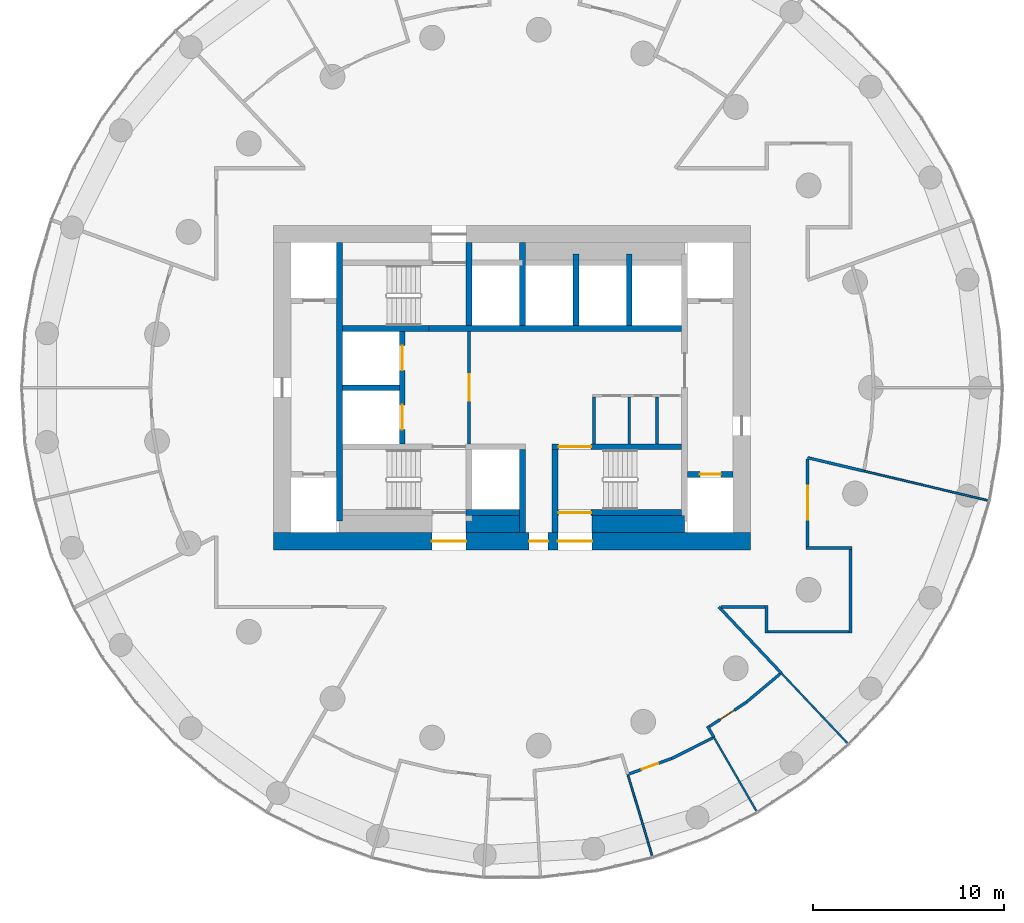
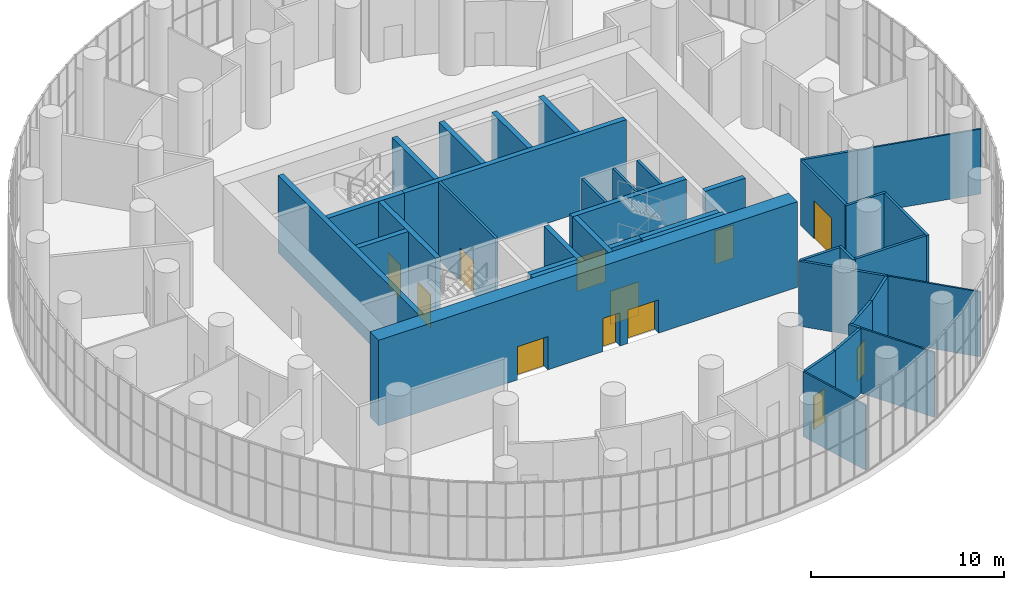
# One storey, part 17 of 21: 40 walls, 12 doors, 12 openings.
"""IFC4 building model written with IfcOpenShell, lengths in metres."""

from ifc_helpers import new_model, si_unit, direction, frame, frame_2d, origin, place, context, subcontext, project, spatial, rectangle, extrude, material, layer, layer_set, type_object, element, fill, save


model = new_model("IFC4")

# Units and contexts
model_context = context("Model", 3, precision=1e-05, world=origin(), true_north=direction((0.0, 1.0)))
body_context = subcontext(model_context, "Body", "Model", "MODEL_VIEW")
ifc_project = project(units=[si_unit("LENGTHUNIT", "METRE"), si_unit("AREAUNIT", "SQUARE_METRE"), si_unit("VOLUMEUNIT", "CUBIC_METRE"), si_unit("PLANEANGLEUNIT", "RADIAN"), si_unit("MASSUNIT", "GRAM", prefix="KILO")], contexts=[model_context])

# Site, building, storey
site_placement = place(None, origin())
site = spatial("IfcSite", under=ifc_project, at=site_placement, CompositionType="ELEMENT")
building_placement = place(site_placement, origin())
building = spatial("IfcBuilding", under=site, at=building_placement, Name="Tracery Tower", CompositionType="ELEMENT")
storey_placement = place(building_placement, frame((0.0, 0.0, 219.60009765625)))
storey = spatial("IfcBuildingStorey", under=building, at=storey_placement, Name="L57", CompositionType="ELEMENT", Elevation=219.60009765625)

# Wall, opening, door
ifc_material_1 = material(Name="Plasterboard on steel studs", Category="steel")
ifc_layer_1 = layer(ifc_material_1, 0.14990234375)
ifc_layer_set_1 = layer_set([ifc_layer_1], Name="Core lobby partition 150")
wall_type_1 = type_object("IfcWallType", Name="Core lobby partition 150", PredefinedType="SOLIDWALL", material=ifc_layer_set_1)
wall_1_placement = place(storey_placement, frame((-2.25, -2.949951171875, 0.0), z_axis=(0.0, 0.0, 1.0), x_axis=(0.0, 1.0, 0.0)))
wall_1 = element("IfcWall", 1, at=wall_1_placement, inside=storey, type_object=wall_type_1, Name="L57 FF lobby E", PredefinedType="SOLIDWALL", context=body_context, shape_type="SweptSolid", body=[
    extrude(rectangle(XDim=5.89990234375, YDim=0.14990234375, at=frame_2d((2.949951171875, 0.0))), origin(), (0.0, 0.0, 1.0), 4.89990234375),
])
opening_1_placement = place(wall_1_placement, frame((2.25, 0.0, 0.0)))
opening_1 = element("IfcOpeningElement", 2, at=opening_1_placement, cuts=wall_1, Name="Opening KD8", PredefinedType="OPENING", context=body_context, shape_type="SweptSolid", body=[
    extrude(rectangle(XDim=1.39990234375, YDim=2.10009765625, at=frame_2d((0.699951171875, 1.050048828125))), frame((0.0, 0.074951171875, 0.0), z_axis=(0.0, -1.0, 0.0), x_axis=(1.0, 0.0, 0.0)), (0.0, 0.0, 1.0), 0.14990234375),
])
ifc_material_2 = material(Name="Steel fire door", Category="steel")
door_type_1 = type_object("IfcDoorType", Name="Core lobby door 1400 double", OperationType="NOTDEFINED", PredefinedType="DOOR", material=ifc_material_2)
door_1_placement = place(opening_1_placement, origin())
door_1 = element("IfcDoor", 3, at=door_1_placement, inside=storey, type_object=door_type_1, Name="Fire-fighting lobby door", OperationType="DOUBLE_DOOR_SINGLE_SWING", OverallHeight=2.10009765625, OverallWidth=1.39990234375, PredefinedType="DOOR", context=body_context, shape_type="SweptSolid", body=[
    extrude(rectangle(XDim=1.39990234375, YDim=2.10009765625, at=frame_2d((0.699951171875, 1.050048828125))), frame((0.0, 0.02490234375, 0.0), z_axis=(0.0, -1.0, 0.0), x_axis=(1.0, 0.0, 0.0)), (0.0, 0.0, 1.0), 0.050048828125),
])
fill(opening_1, door_1)

# Walls
ifc_material_3 = material(Name="Plasterboard on steel studs", Category="steel")
ifc_layer_2 = layer(ifc_material_3, 0.14990234375)
ifc_layer_set_2 = layer_set([ifc_layer_2], Name="Core room partition 150")
wall_type_2 = type_object("IfcWallType", Name="Core room partition 150", PredefinedType="SOLIDWALL", material=ifc_layer_set_2)
for number, where, z_axis, x_axis, name in (
    (4, (4.300048828125, -2.949951171875, 0.0), (0.0, 0.0, 1.0), (0.0, 1.0, 0.0), "L57 slot W"),
    (5, (6.14990234375, -2.949951171875, 0.0), (0.0, 0.0, 1.0), (0.0, 1.0, 0.0), "L57 slot sep 1"),
    (6, (7.60009765625, -2.949951171875, 0.0), (0.0, 0.0, 1.0), (0.0, 1.0, 0.0), "L57 slot sep 2"),
):
    element("IfcWall", number, at=place(storey_placement, frame(where, z_axis=z_axis, x_axis=x_axis)), inside=storey, type_object=wall_type_2, Name=name, PredefinedType="SOLIDWALL", context=body_context, shape_type="SweptSolid", body=[
        extrude(rectangle(XDim=2.449951171875, YDim=0.14990234375, at=frame_2d((1.22509765625, 0.0))), origin(), (0.0, 0.0, 1.0), 4.89990234375),
    ])
ifc_material_4 = material(Name="Concrete C50/60", Category="concrete")
ifc_layer_3 = layer(ifc_material_4, 0.89990234375)
ifc_layer_set_3 = layer_set([ifc_layer_3], Name="Core strip wall 900 C50")
wall_type_3 = type_object("IfcWallType", Name="Core strip wall 900 C50", PredefinedType="SOLIDWALL", material=ifc_layer_set_3)
wall_2_placement = place(storey_placement, frame((-2.39990234375, -7.14990234375, 0.0), z_axis=(0.0, 0.0, 1.0), x_axis=(1.0, 0.0, 0.0)))
element("IfcWall", 7, at=wall_2_placement, inside=storey, type_object=wall_type_3, Name="L57 F thick S mid", PredefinedType="SOLIDWALL", context=body_context, shape_type="SweptSolid", body=[
    extrude(rectangle(XDim=2.7998046875, YDim=0.89990234375, at=frame_2d((1.39990234375, 0.0))), origin(), (0.0, 0.0, 1.0), 4.89990234375),
])
wall_3_placement = place(storey_placement, frame((4.199951171875, -7.14990234375, 0.0), z_axis=(0.0, 0.0, 1.0), x_axis=(1.0, 0.0, 0.0)))
element("IfcWall", 8, at=wall_3_placement, inside=storey, type_object=wall_type_3, Name="L57 F thick S E", PredefinedType="SOLIDWALL", context=body_context, shape_type="SweptSolid", body=[
    extrude(rectangle(XDim=4.85009765625, YDim=0.89990234375, at=frame_2d((2.425048828125, 0.0))), origin(), (0.0, 0.0, 1.0), 4.89990234375),
])

# Wall, openings, doors
ifc_material_5 = material(Name="Concrete C50/60", Category="concrete")
ifc_layer_4 = layer(ifc_material_5, 0.89990234375)
ifc_layer_set_4 = layer_set([ifc_layer_4], Name="Core wall 900 C50")
wall_type_4 = type_object("IfcWallType", Name="Core wall 900 C50", PredefinedType="SOLIDWALL", material=ifc_layer_set_4)
wall_4_placement = place(storey_placement, frame((-12.5, -8.050048828125, 0.0), z_axis=(0.0, 0.0, 1.0), x_axis=(1.0, 0.0, 0.0)))
wall_4 = element("IfcWall", 9, at=wall_4_placement, inside=storey, type_object=wall_type_4, Name="L57 outer S", PredefinedType="SOLIDWALL", context=body_context, shape_type="SweptSolid", body=[
    extrude(rectangle(XDim=25.0, YDim=0.89990234375, at=frame_2d((12.5, 0.0))), origin(), (0.0, 0.0, 1.0), 5.39990234375),
])
opening_2_placement = place(wall_4_placement, frame((13.39990234375, 0.0, 0.0)))
opening_2 = element("IfcOpeningElement", 10, at=opening_2_placement, cuts=wall_4, Name="Opening KD16", PredefinedType="OPENING", context=body_context, shape_type="SweptSolid", body=[
    extrude(rectangle(XDim=1.0, YDim=2.10009765625, at=frame_2d((0.5, 1.050048828125))), frame((0.0, 0.449951171875, 0.0), z_axis=(0.0, -1.0, 0.0), x_axis=(1.0, 0.0, 0.0)), (0.0, 0.0, 1.0), 0.89990234375),
])
opening_3_placement = place(wall_4_placement, frame((8.300048828125, 0.0, 0.0)))
opening_3 = element("IfcOpeningElement", 11, at=opening_3_placement, cuts=wall_4, Name="Opening KD13", PredefinedType="OPENING", context=body_context, shape_type="SweptSolid", body=[
    extrude(rectangle(XDim=1.800048828125, YDim=2.10009765625, at=frame_2d((0.89990234375, 1.050048828125))), frame((0.0, 0.449951171875, 0.0), z_axis=(0.0, -1.0, 0.0), x_axis=(1.0, 0.0, 0.0)), (0.0, 0.0, 1.0), 0.89990234375),
])
opening_4_placement = place(wall_4_placement, frame((14.89990234375, 0.0, 0.0)))
opening_4 = element("IfcOpeningElement", 12, at=opening_4_placement, cuts=wall_4, Name="Opening KD13", PredefinedType="OPENING", context=body_context, shape_type="SweptSolid", body=[
    extrude(rectangle(XDim=1.800048828125, YDim=2.10009765625, at=frame_2d((0.89990234375, 1.050048828125))), frame((0.0, 0.449951171875, 0.0), z_axis=(0.0, -1.0, 0.0), x_axis=(1.0, 0.0, 0.0)), (0.0, 0.0, 1.0), 0.89990234375),
])
ifc_material_6 = material(Name="Steel fire door", Category="steel")
door_type_2 = type_object("IfcDoorType", Name="Core exit door 1000", OperationType="NOTDEFINED", PredefinedType="DOOR", material=ifc_material_6)
door_2_placement = place(opening_2_placement, origin())
door_2 = element("IfcDoor", 13, at=door_2_placement, inside=storey, type_object=door_type_2, Name="Core exit door", OperationType="SINGLE_SWING_LEFT", OverallHeight=2.10009765625, OverallWidth=1.0, PredefinedType="DOOR", context=body_context, shape_type="SweptSolid", body=[
    extrude(rectangle(XDim=1.0, YDim=2.10009765625, at=frame_2d((0.5, 1.050048828125))), frame((0.0, 0.02490234375, 0.0), z_axis=(0.0, -1.0, 0.0), x_axis=(1.0, 0.0, 0.0)), (0.0, 0.0, 1.0), 0.050048828125),
])
fill(opening_2, door_2)
ifc_material_7 = material(Name="Steel fire door", Category="steel")
door_type_3 = type_object("IfcDoorType", Name="Core exit door 1800 double", OperationType="NOTDEFINED", PredefinedType="DOOR", material=ifc_material_7)
door_3_placement = place(opening_3_placement, origin())
door_3 = element("IfcDoor", 14, at=door_3_placement, inside=storey, type_object=door_type_3, Name="Core exit door", OperationType="DOUBLE_DOOR_SINGLE_SWING", OverallHeight=2.10009765625, OverallWidth=1.800048828125, PredefinedType="DOOR", context=body_context, shape_type="SweptSolid", body=[
    extrude(rectangle(XDim=1.800048828125, YDim=2.10009765625, at=frame_2d((0.89990234375, 1.050048828125))), frame((0.0, 0.02490234375, 0.0), z_axis=(0.0, -1.0, 0.0), x_axis=(1.0, 0.0, 0.0)), (0.0, 0.0, 1.0), 0.050048828125),
])
fill(opening_3, door_3)
door_4_placement = place(opening_4_placement, origin())
door_4 = element("IfcDoor", 15, at=door_4_placement, inside=storey, type_object=door_type_3, Name="Core exit door", OperationType="DOUBLE_DOOR_SINGLE_SWING", OverallHeight=2.10009765625, OverallWidth=1.800048828125, PredefinedType="DOOR", context=body_context, shape_type="SweptSolid", body=[
    extrude(rectangle(XDim=1.800048828125, YDim=2.10009765625, at=frame_2d((0.89990234375, 1.050048828125))), frame((0.0, 0.02490234375, 0.0), z_axis=(0.0, -1.0, 0.0), x_axis=(1.0, 0.0, 0.0)), (0.0, 0.0, 1.0), 0.050048828125),
])
fill(opening_4, door_4)

# Wall, opening, door
ifc_material_8 = material(Name="Plasterboard on steel studs", Category="steel")
ifc_layer_5 = layer(ifc_material_8, 0.14990234375)
ifc_layer_set_5 = layer_set([ifc_layer_5], Name="Corridor partition 150")
wall_type_5 = type_object("IfcWallType", Name="Corridor partition 150", PredefinedType="PARTITIONING", material=ifc_layer_set_5)
wall_5_placement = place(storey_placement, frame((8.385009765625, -19.4384765625, 0.0), z_axis=(0.0, 0.0, 1.0), x_axis=(-0.939685866478, -0.342038700065, 0.0)))
wall_5 = element("IfcWall", 16, at=wall_5_placement, inside=storey, type_object=wall_type_5, Name="Corridor partition 150", PredefinedType="PARTITIONING", context=body_context, shape_type="SweptSolid", body=[
    extrude(rectangle(XDim=2.386962890625, YDim=0.14990234375, at=frame_2d((1.193359375, 0.0))), origin(), (0.0, 0.0, 1.0), 4.099853515625),
])
opening_5_placement = place(wall_5_placement, frame((0.781005859375, 0.0, 0.0)))
opening_5 = element("IfcOpeningElement", 17, at=opening_5_placement, cuts=wall_5, Name="Opening SB-L57-19", PredefinedType="OPENING", context=body_context, shape_type="SweptSolid", body=[
    extrude(rectangle(XDim=0.89990234375, YDim=2.10009765625, at=frame_2d((0.449951171875, 1.050048828125))), frame((0.0, 0.074951171875, 0.0), z_axis=(0.0, -1.0, 0.0), x_axis=(1.0, 0.0, 0.0)), (0.0, 0.0, 1.0), 0.14990234375),
])
ifc_material_9 = material(Name="Steel fire door", Category="steel")
door_type_4 = type_object("IfcDoorType", Name="Store door 900", OperationType="NOTDEFINED", PredefinedType="DOOR", material=ifc_material_9)
door_5_placement = place(opening_5_placement, origin())
door_5 = element("IfcDoor", 18, at=door_5_placement, inside=storey, type_object=door_type_4, Name="Store door 900", OperationType="SINGLE_SWING_RIGHT", OverallHeight=2.10009765625, OverallWidth=0.89990234375, PredefinedType="DOOR", context=body_context, shape_type="SweptSolid", body=[
    extrude(rectangle(XDim=0.89990234375, YDim=2.10009765625, at=frame_2d((0.449951171875, 1.050048828125))), frame((0.0, 0.02490234375, 0.0), z_axis=(0.0, -1.0, 0.0), x_axis=(1.0, 0.0, 0.0)), (0.0, 0.0, 1.0), 0.050048828125),
])
fill(opening_5, door_5)

# Wall
wall_6_placement = place(storey_placement, frame((8.385009765625, -19.4384765625, 0.0), z_axis=(0.0, 0.0, 1.0), x_axis=(0.893607371845, 0.448849490345, 0.0)))
element("IfcWall", 19, at=wall_6_placement, inside=storey, type_object=wall_type_5, Name="Corridor partition 150", PredefinedType="PARTITIONING", context=body_context, shape_type="SweptSolid", body=[
    extrude(rectangle(XDim=2.38671875, YDim=0.14990234375, at=frame_2d((1.193359375, 0.0))), origin(), (0.0, 0.0, 1.0), 4.099853515625),
])

# Wall, opening, door
wall_7_placement = place(storey_placement, frame((12.282958984375, -16.498779296875, 0.0), z_axis=(0.0, 0.0, 1.0), x_axis=(-0.835487102144, -0.549510056461, 0.0)))
wall_7 = element("IfcWall", 20, at=wall_7_placement, inside=storey, type_object=wall_type_5, Name="Corridor partition 150", PredefinedType="PARTITIONING", context=body_context, shape_type="SweptSolid", body=[
    extrude(rectangle(XDim=2.31689453125, YDim=0.14990234375, at=frame_2d((1.158447265625, 0.0))), origin(), (0.0, 0.0, 1.0), 4.099853515625),
])
opening_6_placement = place(wall_7_placement, frame((0.74609375, 0.0, 0.0)))
opening_6 = element("IfcOpeningElement", 21, at=opening_6_placement, cuts=wall_7, Name="Opening SB-L57-20", PredefinedType="OPENING", context=body_context, shape_type="SweptSolid", body=[
    extrude(rectangle(XDim=0.89990234375, YDim=2.10009765625, at=frame_2d((0.449951171875, 1.050048828125))), frame((0.0, 0.074951171875, 0.0), z_axis=(0.0, -1.0, 0.0), x_axis=(1.0, 0.0, 0.0)), (0.0, 0.0, 1.0), 0.14990234375),
])
door_6_placement = place(opening_6_placement, origin())
door_6 = element("IfcDoor", 22, at=door_6_placement, inside=storey, type_object=door_type_4, Name="Store door 900", OperationType="SINGLE_SWING_RIGHT", OverallHeight=2.10009765625, OverallWidth=0.89990234375, PredefinedType="DOOR", context=body_context, shape_type="SweptSolid", body=[
    extrude(rectangle(XDim=0.89990234375, YDim=2.10009765625, at=frame_2d((0.449951171875, 1.050048828125))), frame((0.0, 0.02490234375, 0.0), z_axis=(0.0, -1.0, 0.0), x_axis=(1.0, 0.0, 0.0)), (0.0, 0.0, 1.0), 0.050048828125),
])
fill(opening_6, door_6)

# Walls
wall_8_placement = place(storey_placement, frame((10.5849609375, -18.33349609375, 0.0), z_axis=(0.0, 0.0, 1.0), x_axis=(-0.500139216719, 0.865945012053, 0.0)))
element("IfcWall", 23, at=wall_8_placement, inside=storey, type_object=wall_type_5, Name="Corridor partition 150", PredefinedType="PARTITIONING", context=body_context, shape_type="SweptSolid", body=[
    extrude(rectangle(XDim=0.676025390625, YDim=0.14990234375, at=frame_2d((0.337890625, 0.0))), origin(), (0.0, 0.0, 1.0), 4.099853515625),
])
wall_9_placement = place(storey_placement, frame((10.952880859375, -11.5, 0.0), z_axis=(0.0, 0.0, 1.0), x_axis=(1.0, 0.0, 0.0)))
element("IfcWall", 24, at=wall_9_placement, inside=storey, type_object=wall_type_5, Name="Corridor partition 150", PredefinedType="PARTITIONING", context=body_context, shape_type="SweptSolid", body=[
    extrude(rectangle(XDim=2.32373046875, YDim=0.14990234375, at=frame_2d((1.161865234375, 0.0))), origin(), (0.0, 0.0, 1.0), 4.099853515625),
])
wall_10_placement = place(storey_placement, frame((12.282958984375, -16.498779296875, 0.0), z_axis=(0.0, 0.0, 1.0), x_axis=(0.766014097989, 0.642823771871, 0.0)))
element("IfcWall", 25, at=wall_10_placement, inside=storey, type_object=wall_type_5, Name="Corridor partition 150", PredefinedType="PARTITIONING", context=body_context, shape_type="SweptSolid", body=[
    extrude(rectangle(XDim=2.316650390625, YDim=0.14990234375, at=frame_2d((1.158203125, 0.0))), origin(), (0.0, 0.0, 1.0), 4.099853515625),
])
wall_11_placement = place(storey_placement, frame((13.426513671875, -12.802978515625, 0.0), z_axis=(0.0, 0.0, 1.0), x_axis=(1.0, 0.0, 0.0)))
element("IfcWall", 26, at=wall_11_placement, inside=storey, type_object=wall_type_5, Name="Corridor partition 150", PredefinedType="PARTITIONING", context=body_context, shape_type="SweptSolid", body=[
    extrude(rectangle(XDim=4.25, YDim=0.14990234375, at=frame_2d((2.125, 0.0))), origin(), (0.0, 0.0, 1.0), 4.099853515625),
])
wall_12_placement = place(storey_placement, frame((13.3515625, -11.425048828125, 0.0), z_axis=(0.0, 0.0, 1.0), x_axis=(0.0, -1.0, 0.0)))
element("IfcWall", 27, at=wall_12_placement, inside=storey, type_object=wall_type_5, Name="Corridor partition 150", PredefinedType="PARTITIONING", context=body_context, shape_type="SweptSolid", body=[
    extrude(rectangle(XDim=1.452880859375, YDim=0.14990234375, at=frame_2d((0.7265625, 0.0))), origin(), (0.0, 0.0, 1.0), 4.099853515625),
])
wall_13_placement = place(storey_placement, frame((14.115234375, -14.961181640625, 0.0), z_axis=(0.0, 0.0, 1.0), x_axis=(-0.686260376194, 0.727355962418, 0.0)))
element("IfcWall", 28, at=wall_13_placement, inside=storey, type_object=wall_type_5, Name="Corridor partition 150", PredefinedType="PARTITIONING", context=body_context, shape_type="SweptSolid", body=[
    extrude(rectangle(XDim=4.758544921875, YDim=0.14990234375, at=frame_2d((2.37939453125, 0.0))), origin(), (0.0, 0.0, 1.0), 4.099853515625),
])

# Wall, opening, door
wall_14_placement = place(storey_placement, frame((15.5, -3.750732421875, 0.0), z_axis=(0.0, 0.0, 1.0), x_axis=(0.0, -1.0, 0.0)))
wall_14 = element("IfcWall", 29, at=wall_14_placement, inside=storey, type_object=wall_type_5, Name="Corridor partition 150", PredefinedType="PARTITIONING", context=body_context, shape_type="SweptSolid", body=[
    extrude(rectangle(XDim=4.5771484375, YDim=0.14990234375, at=frame_2d((2.28857421875, 0.0))), origin(), (0.0, 0.0, 1.0), 4.099853515625),
])
opening_7_placement = place(wall_14_placement, frame((1.3876953125, 0.0, 0.0)))
opening_7 = element("IfcOpeningElement", 30, at=opening_7_placement, cuts=wall_14, Name="Opening SB-L57-21", PredefinedType="OPENING", context=body_context, shape_type="SweptSolid", body=[
    extrude(rectangle(XDim=1.800048828125, YDim=2.39990234375, at=frame_2d((0.89990234375, 1.199951171875))), frame((0.0, 0.074951171875, 0.0), z_axis=(0.0, -1.0, 0.0), x_axis=(1.0, 0.0, 0.0)), (0.0, 0.0, 1.0), 0.14990234375),
])
ifc_material_10 = material(Name="Glazed aluminium door", Category="aluminium")
door_type_5 = type_object("IfcDoorType", Name="Hall double door 1800", OperationType="DOUBLE_DOOR_SINGLE_SWING", PredefinedType="DOOR", material=ifc_material_10)
door_7_placement = place(opening_7_placement, origin())
door_7 = element("IfcDoor", 31, at=door_7_placement, inside=storey, type_object=door_type_5, Name="Hall double door 1800", OperationType="DOUBLE_DOOR_SINGLE_SWING", OverallHeight=2.39990234375, OverallWidth=1.800048828125, PredefinedType="DOOR", context=body_context, shape_type="SweptSolid", body=[
    extrude(rectangle(XDim=1.800048828125, YDim=2.39990234375, at=frame_2d((0.89990234375, 1.199951171875))), frame((0.0, 0.02490234375, 0.0), z_axis=(0.0, -1.0, 0.0), x_axis=(1.0, 0.0, 0.0)), (0.0, 0.0, 1.0), 0.050048828125),
])
fill(opening_7, door_7)

# Walls
wall_15_placement = place(storey_placement, frame((17.751708984375, -12.8779296875, 0.0), z_axis=(0.0, 0.0, 1.0), x_axis=(0.0, 1.0, 0.0)))
element("IfcWall", 32, at=wall_15_placement, inside=storey, type_object=wall_type_5, Name="Corridor partition 150", PredefinedType="PARTITIONING", context=body_context, shape_type="SweptSolid", body=[
    extrude(rectangle(XDim=4.400146484375, YDim=0.14990234375, at=frame_2d((2.2001953125, 0.0))), origin(), (0.0, 0.0, 1.0), 4.099853515625),
])
wall_16_placement = place(storey_placement, frame((17.82666015625, -8.40283203125, 0.0), z_axis=(0.0, 0.0, 1.0), x_axis=(-1.0, 0.0, 0.0)))
element("IfcWall", 33, at=wall_16_placement, inside=storey, type_object=wall_type_5, Name="Corridor partition 150", PredefinedType="PARTITIONING", context=body_context, shape_type="SweptSolid", body=[
    extrude(rectangle(XDim=2.401611328125, YDim=0.14990234375, at=frame_2d((1.20068359375, 0.0))), origin(), (0.0, 0.0, 1.0), 4.099853515625),
])
wall_17_placement = place(storey_placement, frame((18.454833984375, -4.373779296875, 0.0), z_axis=(0.0, 0.0, 1.0), x_axis=(-0.973053235534, 0.230580573371, 0.0)))
element("IfcWall", 34, at=wall_17_placement, inside=storey, type_object=wall_type_5, Name="Corridor partition 150", PredefinedType="PARTITIONING", context=body_context, shape_type="SweptSolid", body=[
    extrude(rectangle(XDim=3.03662109375, YDim=0.14990234375, at=frame_2d((1.518310546875, 0.0))), origin(), (0.0, 0.0, 1.0), 4.099853515625),
])
ifc_material_11 = material(Name="Concrete C50/60", Category="concrete")
ifc_layer_6 = layer(ifc_material_11, 0.300048828125)
ifc_layer_set_6 = layer_set([ifc_layer_6], Name="Shaft wall 300 C50")
wall_type_6 = type_object("IfcWallType", Name="Shaft wall 300 C50", PredefinedType="SOLIDWALL", material=ifc_layer_set_6)
wall_18_placement = place(storey_placement, frame((-8.89990234375, 0.0, 0.0), z_axis=(0.0, 0.0, 1.0), x_axis=(1.0, 0.0, 0.0)))
element("IfcWall", 35, at=wall_18_placement, inside=storey, type_object=wall_type_6, Name="L57 FF split", PredefinedType="SOLIDWALL", context=body_context, shape_type="SweptSolid", body=[
    extrude(rectangle(XDim=3.0, YDim=0.300048828125, at=frame_2d((1.5, 0.0))), origin(), (0.0, 0.0, 1.0), 4.89990234375),
])

# Wall, openings, doors
wall_19_placement = place(storey_placement, frame((-5.75, -2.949951171875, 0.0), z_axis=(0.0, 0.0, 1.0), x_axis=(0.0, 1.0, 0.0)))
wall_19 = element("IfcWall", 36, at=wall_19_placement, inside=storey, type_object=wall_type_6, Name="L57 FF doors", PredefinedType="SOLIDWALL", context=body_context, shape_type="SweptSolid", body=[
    extrude(rectangle(XDim=5.89990234375, YDim=0.300048828125, at=frame_2d((2.949951171875, 0.0))), origin(), (0.0, 0.0, 1.0), 4.89990234375),
])
opening_8_placement = place(wall_19_placement, frame((0.75, 0.0, 0.0)))
opening_8 = element("IfcOpeningElement", 37, at=opening_8_placement, cuts=wall_19, Name="Opening KD54", PredefinedType="OPENING", context=body_context, shape_type="SweptSolid", body=[
    extrude(rectangle(XDim=1.300048828125, YDim=2.10009765625, at=frame_2d((0.64990234375, 1.050048828125))), frame((0.0, 0.14990234375, 0.0), z_axis=(0.0, -1.0, 0.0), x_axis=(1.0, 0.0, 0.0)), (0.0, 0.0, 1.0), 0.300048828125),
])
opening_9_placement = place(wall_19_placement, frame((3.85009765625, 0.0, 0.0)))
opening_9 = element("IfcOpeningElement", 38, at=opening_9_placement, cuts=wall_19, Name="Opening KD55", PredefinedType="OPENING", context=body_context, shape_type="SweptSolid", body=[
    extrude(rectangle(XDim=1.300048828125, YDim=2.10009765625, at=frame_2d((0.64990234375, 1.050048828125))), frame((0.0, 0.14990234375, 0.0), z_axis=(0.0, -1.0, 0.0), x_axis=(1.0, 0.0, 0.0)), (0.0, 0.0, 1.0), 0.300048828125),
])
ifc_material_12 = material(Name="Steel fire door", Category="steel")
door_type_6 = type_object("IfcDoorType", Name="Landing door FF 1300", OperationType="NOTDEFINED", PredefinedType="DOOR", material=ifc_material_12)
door_8_placement = place(opening_8_placement, origin())
door_8 = element("IfcDoor", 39, at=door_8_placement, inside=storey, type_object=door_type_6, Name="Landing door FF1", OperationType="SLIDING_TO_LEFT", OverallHeight=2.10009765625, OverallWidth=1.300048828125, PredefinedType="DOOR", context=body_context, shape_type="SweptSolid", body=[
    extrude(rectangle(XDim=1.300048828125, YDim=2.10009765625, at=frame_2d((0.64990234375, 1.050048828125))), frame((0.0, 0.02490234375, 0.0), z_axis=(0.0, -1.0, 0.0), x_axis=(1.0, 0.0, 0.0)), (0.0, 0.0, 1.0), 0.050048828125),
])
fill(opening_8, door_8)
door_9_placement = place(opening_9_placement, origin())
door_9 = element("IfcDoor", 40, at=door_9_placement, inside=storey, type_object=door_type_6, Name="Landing door FF2", OperationType="SLIDING_TO_RIGHT", OverallHeight=2.10009765625, OverallWidth=1.300048828125, PredefinedType="DOOR", context=body_context, shape_type="SweptSolid", body=[
    extrude(rectangle(XDim=1.300048828125, YDim=2.10009765625, at=frame_2d((0.64990234375, 1.050048828125))), frame((0.0, 0.02490234375, 0.0), z_axis=(0.0, -1.0, 0.0), x_axis=(1.0, 0.0, 0.0)), (0.0, 0.0, 1.0), 0.050048828125),
])
fill(opening_9, door_9)

# Walls
for number, where, z_axis, x_axis, name in (
    (41, (0.550048828125, -7.60009765625, 0.0), (0.0, 0.0, 1.0), (0.0, 1.0, 0.0), "L57 OB2 E"),
    (42, (0.550048828125, 3.25, 0.0), (0.0, 0.0, 1.0), (0.0, 1.0, 0.0), "L57 HR sep 1"),
):
    element("IfcWall", number, at=place(storey_placement, frame(where, z_axis=z_axis, x_axis=x_axis)), inside=storey, type_object=wall_type_6, Name=name, PredefinedType="SOLIDWALL", context=body_context, shape_type="SweptSolid", body=[
        extrude(rectangle(XDim=4.35009765625, YDim=0.300048828125, at=frame_2d((2.175048828125, 0.0))), origin(), (0.0, 0.0, 1.0), 4.89990234375),
    ])
for number, where, z_axis, x_axis, name in (
    (43, (3.35009765625, 3.25, 0.0), (0.0, 0.0, 1.0), (0.0, 1.0, 0.0), "L57 HR sep 2"),
    (44, (6.14990234375, 3.25, 0.0), (0.0, 0.0, 1.0), (0.0, 1.0, 0.0), "L57 HR sep 3"),
):
    element("IfcWall", number, at=place(storey_placement, frame(where, z_axis=z_axis, x_axis=x_axis)), inside=storey, type_object=wall_type_6, Name=name, PredefinedType="SOLIDWALL", context=body_context, shape_type="SweptSolid", body=[
        extrude(rectangle(XDim=3.75, YDim=0.300048828125, at=frame_2d((1.875, 0.0))), origin(), (0.0, 0.0, 1.0), 4.89990234375),
    ])

# Wall, opening, door
wall_20_placement = place(storey_placement, frame((9.199951171875, -4.550048828125, 0.0), z_axis=(0.0, 0.0, 1.0), x_axis=(1.0, 0.0, 0.0)))
wall_20 = element("IfcWall", 45, at=wall_20_placement, inside=storey, type_object=wall_type_6, Name="L57 MR E -4.55", PredefinedType="SOLIDWALL", context=body_context, shape_type="SweptSolid", body=[
    extrude(rectangle(XDim=2.400146484375, YDim=0.300048828125, at=frame_2d((1.2001953125, 0.0))), origin(), (0.0, 0.0, 1.0), 4.89990234375),
])
opening_10_placement = place(wall_20_placement, frame((0.64990234375, 0.0, 0.0)))
opening_10 = element("IfcOpeningElement", 46, at=opening_10_placement, cuts=wall_20, Name="Opening KD50", PredefinedType="OPENING", context=body_context, shape_type="SweptSolid", body=[
    extrude(rectangle(XDim=1.10009765625, YDim=2.10009765625, at=frame_2d((0.550048828125, 1.050048828125))), frame((0.0, 0.14990234375, 0.0), z_axis=(0.0, -1.0, 0.0), x_axis=(1.0, 0.0, 0.0)), (0.0, 0.0, 1.0), 0.300048828125),
])
ifc_material_13 = material(Name="Steel fire door", Category="steel")
door_type_7 = type_object("IfcDoorType", Name="Landing door 1100", OperationType="NOTDEFINED", PredefinedType="DOOR", material=ifc_material_13)
door_10_placement = place(opening_10_placement, origin())
door_10 = element("IfcDoor", 47, at=door_10_placement, inside=storey, type_object=door_type_7, Name="Landing door MR3", OperationType="SLIDING_TO_RIGHT", OverallHeight=2.10009765625, OverallWidth=1.10009765625, PredefinedType="DOOR", context=body_context, shape_type="SweptSolid", body=[
    extrude(rectangle(XDim=1.10009765625, YDim=2.10009765625, at=frame_2d((0.550048828125, 1.050048828125))), frame((0.0, 0.02490234375, 0.0), z_axis=(0.0, -1.0, 0.0), x_axis=(1.0, 0.0, 0.0)), (0.0, 0.0, 1.0), 0.050048828125),
])
fill(opening_10, door_10)

ifc_material_14 = material(Name="Concrete C50/60", Category="concrete")
ifc_layer_7 = layer(ifc_material_14, 0.300048828125)
ifc_layer_set_7 = layer_set([ifc_layer_7], Name="Stair wall 300 C50")
wall_type_7 = type_object("IfcWallType", Name="Stair wall 300 C50", PredefinedType="SOLIDWALL", material=ifc_layer_set_7)
wall_21_placement = place(storey_placement, frame((2.10009765625, -3.10009765625, 0.0), z_axis=(0.0, 0.0, 1.0), x_axis=(1.0, 0.0, 0.0)))
wall_21 = element("IfcWall", 48, at=wall_21_placement, inside=storey, type_object=wall_type_7, Name="L57 row S E", PredefinedType="SOLIDWALL", context=body_context, shape_type="SweptSolid", body=[
    extrude(rectangle(XDim=6.7998046875, YDim=0.300048828125, at=frame_2d((3.39990234375, 0.0))), origin(), (0.0, 0.0, 1.0), 4.89990234375),
])
opening_11_placement = place(wall_21_placement, frame((0.35009765625, 0.0, 0.0)))
opening_11 = element("IfcOpeningElement", 49, at=opening_11_placement, cuts=wall_21, Name="Opening KD3", PredefinedType="OPENING", context=body_context, shape_type="SweptSolid", body=[
    extrude(rectangle(XDim=1.699951171875, YDim=2.10009765625, at=frame_2d((0.85009765625, 1.050048828125))), frame((0.0, 0.14990234375, 0.0), z_axis=(0.0, -1.0, 0.0), x_axis=(1.0, 0.0, 0.0)), (0.0, 0.0, 1.0), 0.300048828125),
])
ifc_material_15 = material(Name="Steel fire door", Category="steel")
door_type_8 = type_object("IfcDoorType", Name="Core stair door 1700 double", OperationType="NOTDEFINED", PredefinedType="DOOR", material=ifc_material_15)
door_11_placement = place(opening_11_placement, origin())
door_11 = element("IfcDoor", 50, at=door_11_placement, inside=storey, type_object=door_type_8, Name="Stair door ST2", OperationType="DOUBLE_DOOR_SINGLE_SWING", OverallHeight=2.10009765625, OverallWidth=1.699951171875, PredefinedType="DOOR", context=body_context, shape_type="SweptSolid", body=[
    extrude(rectangle(XDim=1.699951171875, YDim=2.10009765625, at=frame_2d((0.85009765625, 1.050048828125))), frame((0.0, 0.02490234375, 0.0), z_axis=(0.0, -1.0, 0.0), x_axis=(1.0, 0.0, 0.0)), (0.0, 0.0, 1.0), 0.050048828125),
])
fill(opening_11, door_11)

# Walls
wall_22_placement = place(storey_placement, frame((-8.89990234375, 3.10009765625, 0.0), z_axis=(0.0, 0.0, 1.0), x_axis=(1.0, 0.0, 0.0)))
element("IfcWall", 51, at=wall_22_placement, inside=storey, type_object=wall_type_7, Name="L57 row N W", PredefinedType="SOLIDWALL", context=body_context, shape_type="SweptSolid", body=[
    extrude(rectangle(XDim=4.5498046875, YDim=0.300048828125, at=frame_2d((2.27490234375, 0.0))), origin(), (0.0, 0.0, 1.0), 4.89990234375),
])
wall_23_placement = place(storey_placement, frame((-4.35009765625, 3.10009765625, 0.0), z_axis=(0.0, 0.0, 1.0), x_axis=(1.0, 0.0, 0.0)))
element("IfcWall", 52, at=wall_23_placement, inside=storey, type_object=wall_type_7, Name="L57 row N", PredefinedType="SOLIDWALL", context=body_context, shape_type="SweptSolid", body=[
    extrude(rectangle(XDim=13.25, YDim=0.300048828125, at=frame_2d((6.625, 0.0))), origin(), (0.0, 0.0, 1.0), 4.89990234375),
])
for number, where, z_axis, x_axis, name in (
    (53, (-2.25, 3.25, 0.0), (0.0, 0.0, 1.0), (0.0, 1.0, 0.0), "L57 ST3 E"),
    (54, (2.25, -7.60009765625, 0.0), (0.0, 0.0, 1.0), (0.0, 1.0, 0.0), "L57 ST2 W"),
):
    element("IfcWall", number, at=place(storey_placement, frame(where, z_axis=z_axis, x_axis=x_axis)), inside=storey, type_object=wall_type_7, Name=name, PredefinedType="SOLIDWALL", context=body_context, shape_type="SweptSolid", body=[
        extrude(rectangle(XDim=4.35009765625, YDim=0.300048828125, at=frame_2d((2.175048828125, 0.0))), origin(), (0.0, 0.0, 1.0), 4.89990234375),
    ])
wall_24_placement = place(storey_placement, frame((-9.050048828125, -7.0, 0.0), z_axis=(0.0, 0.0, 1.0), x_axis=(0.0, 1.0, 0.0)))
element("IfcWall", 55, at=wall_24_placement, inside=storey, type_object=wall_type_7, Name="L57 F wall -9", PredefinedType="SOLIDWALL", context=body_context, shape_type="SweptSolid", body=[
    extrude(rectangle(XDim=14.60009765625, YDim=0.300048828125, at=frame_2d((7.300048828125, 0.0))), origin(), (0.0, 0.0, 1.0), 4.89990234375),
])
wall_25_placement = place(storey_placement, frame((-2.39990234375, -6.550048828125, 0.0), z_axis=(0.0, 0.0, 1.0), x_axis=(1.0, 0.0, 0.0)))
element("IfcWall", 56, at=wall_25_placement, inside=storey, type_object=wall_type_7, Name="L57 F stair strip S mid", PredefinedType="SOLIDWALL", context=body_context, shape_type="SweptSolid", body=[
    extrude(rectangle(XDim=2.7998046875, YDim=0.300048828125, at=frame_2d((1.39990234375, 0.0))), origin(), (0.0, 0.0, 1.0), 4.89990234375),
])
wall_26_placement = place(storey_placement, frame((4.199951171875, -6.550048828125, 0.0), z_axis=(0.0, 0.0, 1.0), x_axis=(1.0, 0.0, 0.0)))
element("IfcWall", 57, at=wall_26_placement, inside=storey, type_object=wall_type_7, Name="L57 F stair strip S E", PredefinedType="SOLIDWALL", context=body_context, shape_type="SweptSolid", body=[
    extrude(rectangle(XDim=4.699951171875, YDim=0.300048828125, at=frame_2d((2.35009765625, 0.0))), origin(), (0.0, 0.0, 1.0), 4.89990234375),
])

# Wall, opening, door
wall_27_placement = place(storey_placement, frame((2.39990234375, -6.550048828125, 0.0), z_axis=(0.0, 0.0, 1.0), x_axis=(1.0, 0.0, 0.0)))
wall_27 = element("IfcWall", 58, at=wall_27_placement, inside=storey, type_object=wall_type_7, Name="L57 F stair S E", PredefinedType="SOLIDWALL", context=body_context, shape_type="SweptSolid", body=[
    extrude(rectangle(XDim=1.800048828125, YDim=0.300048828125, at=frame_2d((0.89990234375, 0.0))), origin(), (0.0, 0.0, 1.0), 4.89990234375),
])
opening_12_placement = place(wall_27_placement, frame((0.050048828125, 0.0, 0.0)))
opening_12 = element("IfcOpeningElement", 59, at=opening_12_placement, cuts=wall_27, Name="Opening KD3", PredefinedType="OPENING", context=body_context, shape_type="SweptSolid", body=[
    extrude(rectangle(XDim=1.699951171875, YDim=2.10009765625, at=frame_2d((0.85009765625, 1.050048828125))), frame((0.0, 0.14990234375, 0.0), z_axis=(0.0, -1.0, 0.0), x_axis=(1.0, 0.0, 0.0)), (0.0, 0.0, 1.0), 0.300048828125),
])
door_12_placement = place(opening_12_placement, origin())
door_12 = element("IfcDoor", 60, at=door_12_placement, inside=storey, type_object=door_type_8, Name="Stair door vest", OperationType="DOUBLE_DOOR_SINGLE_SWING", OverallHeight=2.10009765625, OverallWidth=1.699951171875, PredefinedType="DOOR", context=body_context, shape_type="SweptSolid", body=[
    extrude(rectangle(XDim=1.699951171875, YDim=2.10009765625, at=frame_2d((0.85009765625, 1.050048828125))), frame((0.0, 0.02490234375, 0.0), z_axis=(0.0, -1.0, 0.0), x_axis=(1.0, 0.0, 0.0)), (0.0, 0.0, 1.0), 0.050048828125),
])
fill(opening_12, door_12)

# Walls
ifc_material_16 = material(Name="Plasterboard on steel studs", Category="steel")
ifc_layer_8 = layer(ifc_material_16, 0.10009765625)
ifc_layer_set_8 = layer_set([ifc_layer_8], Name="Stud partition 100")
wall_type_8 = type_object("IfcWallType", Name="Stud partition 100", PredefinedType="PARTITIONING", material=ifc_layer_set_8)
wall_28_placement = place(storey_placement, frame((7.35009765625, -24.55078125, 0.0), z_axis=(0.0, 0.0, 1.0), x_axis=(-0.286830292598, 0.957981410701, 0.0)))
element("IfcWall", 61, at=wall_28_placement, inside=storey, type_object=wall_type_8, Name="Stud partition 100", PredefinedType="PARTITIONING", context=body_context, shape_type="SweptSolid", body=[
    extrude(rectangle(XDim=4.45751953125, YDim=0.10009765625, at=frame_2d((2.228759765625, 0.0))), origin(), (0.0, 0.0, 1.0), 4.099853515625),
])
wall_29_placement = place(storey_placement, frame((12.813720703125, -22.194091796875, 0.0), z_axis=(0.0, 0.0, 1.0), x_axis=(-0.499973719246, 0.866040576453, 0.0)))
element("IfcWall", 62, at=wall_29_placement, inside=storey, type_object=wall_type_8, Name="Stud partition 100", PredefinedType="PARTITIONING", context=body_context, shape_type="SweptSolid", body=[
    extrude(rectangle(XDim=4.457763671875, YDim=0.10009765625, at=frame_2d((2.22900390625, 0.0))), origin(), (0.0, 0.0, 1.0), 4.099853515625),
])
wall_30_placement = place(storey_placement, frame((17.586669921875, -18.640625, 0.0), z_axis=(0.0, 0.0, 1.0), x_axis=(-0.686247889533, 0.727367743382, 0.0)))
element("IfcWall", 63, at=wall_30_placement, inside=storey, type_object=wall_type_8, Name="Stud partition 100", PredefinedType="PARTITIONING", context=body_context, shape_type="SweptSolid", body=[
    extrude(rectangle(XDim=5.05859375, YDim=0.10009765625, at=frame_2d((2.529296875, 0.0))), origin(), (0.0, 0.0, 1.0), 4.099853515625),
])
wall_31_placement = place(storey_placement, frame((24.9365234375, -5.91015625, 0.0), z_axis=(0.0, 0.0, 1.0), x_axis=(-0.973038525817, 0.230642639759, 0.0)))
element("IfcWall", 64, at=wall_31_placement, inside=storey, type_object=wall_type_8, Name="Stud partition 100", PredefinedType="PARTITIONING", context=body_context, shape_type="SweptSolid", body=[
    extrude(rectangle(XDim=6.661376953125, YDim=0.10009765625, at=frame_2d((3.33056640625, 0.0))), origin(), (0.0, 0.0, 1.0), 4.099853515625),
])

save(model, "model.ifc")
